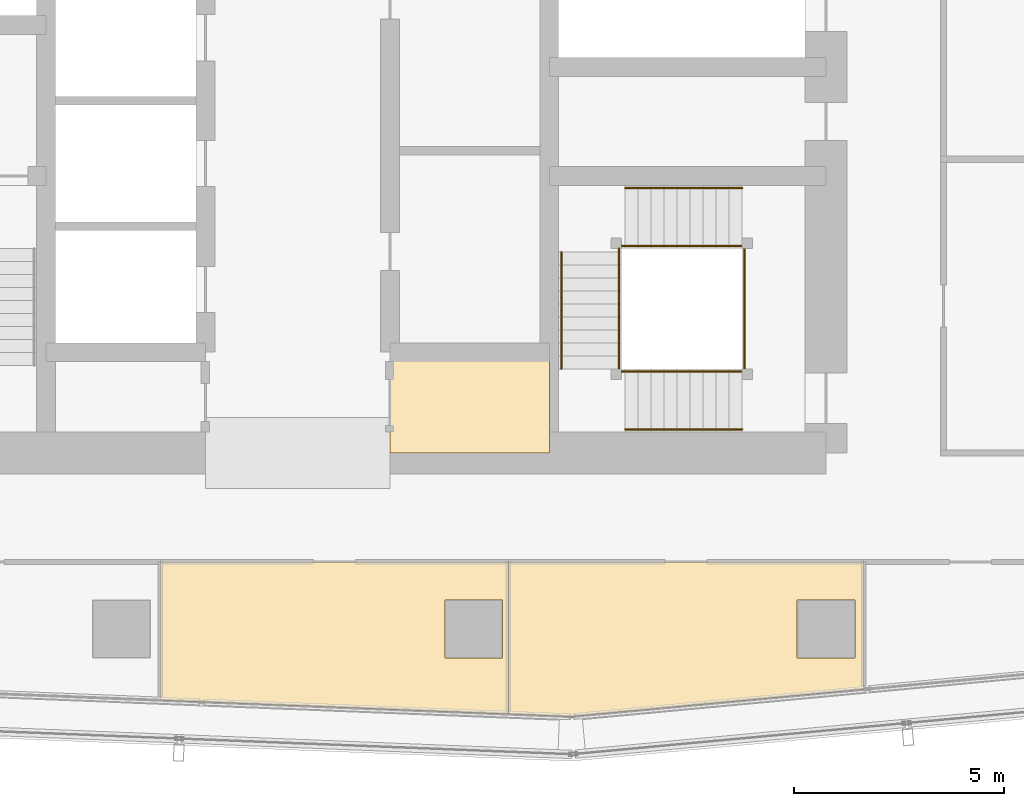
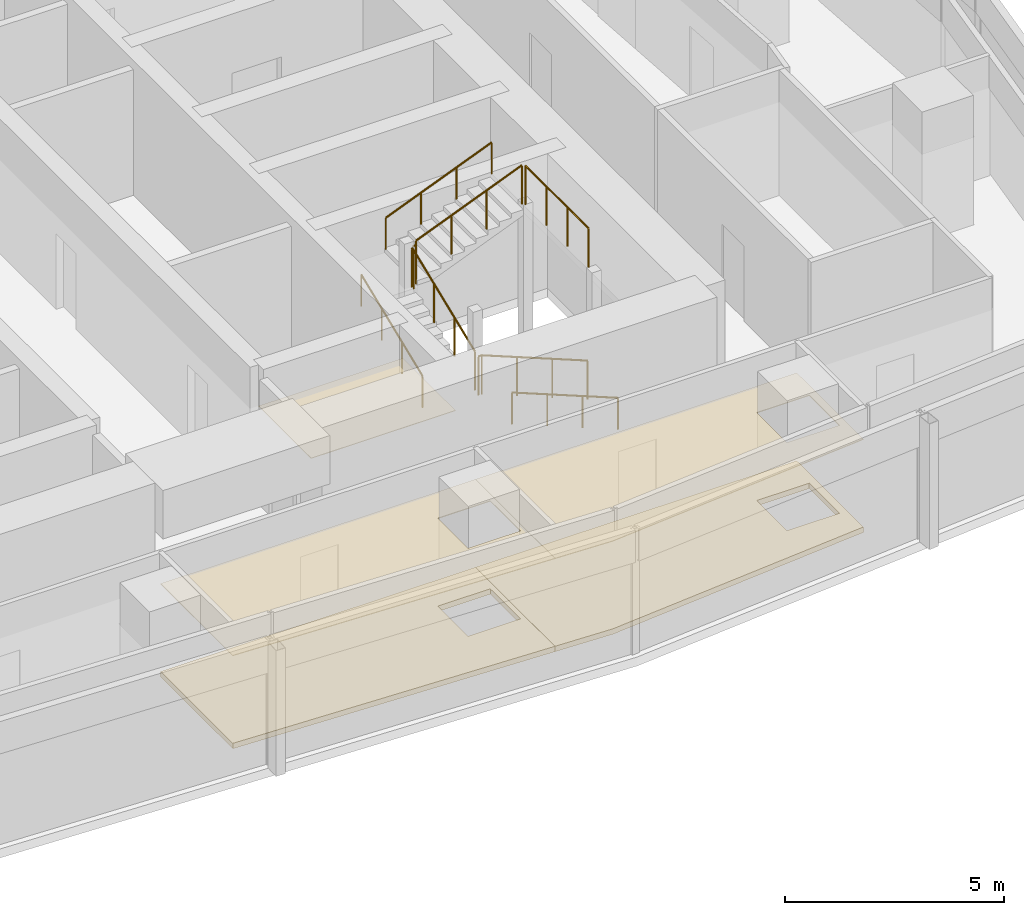
# One storey, part 36 of 39: 10 railings, 5 coverings.
"""IFC4 building model written with IfcOpenShell, lengths in metres."""

from ifc_helpers import new_model, si_unit, direction, frame, origin, origin_2d, place, context, subcontext, project, spatial, polyline, circle, outline, extrude, material, layer, layer_set, type_object, element, save


model = new_model("IFC4")

# Units and contexts
model_context = context("Model", 3, precision=1e-05, world=origin(), true_north=direction((0.0, 1.0)))
body_context = subcontext(model_context, "Body", "Model", "MODEL_VIEW")
ifc_project = project(units=[si_unit("LENGTHUNIT", "METRE"), si_unit("AREAUNIT", "SQUARE_METRE"), si_unit("VOLUMEUNIT", "CUBIC_METRE"), si_unit("PLANEANGLEUNIT", "RADIAN"), si_unit("MASSUNIT", "GRAM", prefix="KILO")], contexts=[model_context])

# Site, building, storey
site_placement = place(None, origin())
site = spatial("IfcSite", under=ifc_project, at=site_placement, CompositionType="ELEMENT")
building_placement = place(site_placement, origin())
building = spatial("IfcBuilding", under=site, at=building_placement, Name="Rekha Terrace Tower", CompositionType="ELEMENT")
storey_placement = place(building_placement, frame((0.0, 0.0, 187.699951171875)))
storey = spatial("IfcBuildingStorey", under=building, at=storey_placement, Name="L47", CompositionType="ELEMENT", Elevation=187.699951171875)

# Coverings
ifc_material_1 = material(Name="Mineral fibre tile in exposed grid", Category="finish")
ifc_layer_1 = layer(ifc_material_1, 0.02001953125)
ifc_layer_set_1 = layer_set([ifc_layer_1], Name="Mineral fibre tile in exposed grid")
covering_type_1 = type_object("IfcCoveringType", Name="CL1 600x1200 office grid ceiling", PredefinedType="CEILING", material=ifc_layer_set_1)
covering_1_placement = place(storey_placement, frame((0.0, 0.0, 2.580078125)))
element("IfcCovering", 1, at=covering_1_placement, inside=storey, type_object=covering_type_1, Name="Ceiling L47-02", PredefinedType="CEILING", context=body_context, shape_type="SweptSolid", body=[
    extrude(outline(polyline([(42.822998046875, 14.77099609375), (42.822998046875, 18.39990234375), (34.531005859375, 18.39990234375), (34.531005859375, 15.10205078125), (42.822998046875, 14.77099609375)]), holes=[polyline([(42.68994140625, 17.489990234375), (42.68994140625, 16.110107421875), (41.31005859375, 16.110107421875), (41.31005859375, 17.489990234375), (42.68994140625, 17.489990234375)])]), origin(), (0.0, 0.0, 1.0), 0.02001953125),
])
covering_2_placement = place(storey_placement, frame((0.0, 0.0, 2.580078125)))
element("IfcCovering", 2, at=covering_2_placement, inside=storey, type_object=covering_type_1, Name="Ceiling L47-03", PredefinedType="CEILING", context=body_context, shape_type="SweptSolid", body=[
    extrude(outline(polyline([(51.2900390625, 18.39990234375), (42.823974609375, 18.39990234375), (42.823974609375, 14.77099609375), (44.31201171875, 14.7119140625), (51.2900390625, 15.362060546875), (51.2900390625, 18.39990234375)]), holes=[polyline([(51.090087890625, 16.110107421875), (49.7099609375, 16.110107421875), (49.7099609375, 17.489990234375), (51.090087890625, 17.489990234375), (51.090087890625, 16.110107421875)])]), origin(), (0.0, 0.0, 1.0), 0.02001953125),
])
ifc_material_2 = material(Name="Fibre cement board", Category="finish")
ifc_layer_2 = layer(ifc_material_2, 0.014892578125)
ifc_layer_set_2 = layer_set([ifc_layer_2], Name="Fibre cement board")
covering_type_2 = type_object("IfcCoveringType", Name="CL2 moisture-resistant board ceiling", PredefinedType="CEILING", material=ifc_layer_set_2)
covering_3_placement = place(storey_placement, frame((0.0, 0.0, 2.5849609375)))
element("IfcCovering", 3, at=covering_3_placement, inside=storey, type_object=covering_type_2, Name="Ceiling L47-WCA", PredefinedType="CEILING", context=body_context, shape_type="SweptSolid", body=[
    extrude(outline(polyline([(43.800048828125, 23.39990234375), (40.0, 23.39990234375), (40.0, 21.0), (43.800048828125, 21.0), (43.800048828125, 23.39990234375)])), origin(), (0.0, 0.0, 1.0), 0.01513671875),
])

# Railings
ifc_material_3 = material(Name="Stainless steel balustrade", Category="steel")
railing_type_1 = type_object("IfcRailingType", Name="GR1 1100 stair guard", PredefinedType="GUARDRAIL", material=ifc_material_3)
railing_1_placement = place(storey_placement, frame((48.39990234375, 22.93994140625, 0.125)))
element("IfcRailing", 4, at=railing_1_placement, inside=storey, type_object=railing_type_1, Name="Guard ST3 L47 flight 1", PredefinedType="GUARDRAIL", context=body_context, shape_type="SweptSolid", body=[
    extrude(circle(Radius=0.02392578125, at=origin_2d()), frame((0.0, 0.0, 1.076171875), z_axis=(-0.927431937212, 0.0, 0.373991980981), x_axis=(0.0, -1.0, 0.0)), (0.0, 0.0, 1.0), 3.008056640625),
    extrude(circle(Radius=0.02099609375, at=origin_2d()), origin(), (0.0, 0.0, 1.0), 1.052001953125),
    extrude(circle(Radius=0.02099609375, at=origin_2d()), frame((-0.929931640625, 0.0, 0.375)), (0.0, 0.0, 1.0), 1.052001953125),
    extrude(circle(Radius=0.02099609375, at=origin_2d()), frame((-1.85986328125, 0.0, 0.75)), (0.0, 0.0, 1.0), 1.052001953125),
    extrude(circle(Radius=0.02099609375, at=origin_2d()), frame((-2.789794921875, 0.0, 1.125)), (0.0, 0.0, 1.0), 1.052001953125),
])
railing_2_placement = place(storey_placement, frame((45.465087890625, 23.0, 1.375)))
element("IfcRailing", 5, at=railing_2_placement, inside=storey, type_object=railing_type_1, Name="Guard ST3 L47 flight 2", PredefinedType="GUARDRAIL", context=body_context, shape_type="SweptSolid", body=[
    extrude(circle(Radius=0.02392578125, at=origin_2d()), frame((0.0, 0.0, 1.076171875), z_axis=(0.0, 0.927443287984, 0.373963831907), x_axis=(-1.0, 0.0, 0.0)), (0.0, 0.0, 1.0), 3.00830078125),
    extrude(circle(Radius=0.02099609375, at=origin_2d()), origin(), (0.0, 0.0, 1.0), 1.052001953125),
    extrude(circle(Radius=0.02099609375, at=origin_2d()), frame((0.0, 0.929931640625, 0.375)), (0.0, 0.0, 1.0), 1.052001953125),
    extrude(circle(Radius=0.02099609375, at=origin_2d()), frame((0.0, 1.860107421875, 0.75)), (0.0, 0.0, 1.0), 1.052001953125),
    extrude(circle(Radius=0.02099609375, at=origin_2d()), frame((0.0, 2.7900390625, 1.125)), (0.0, 0.0, 1.0), 1.052001953125),
])
railing_3_placement = place(storey_placement, frame((45.610107421875, 25.93505859375, 2.625)))
element("IfcRailing", 6, at=railing_3_placement, inside=storey, type_object=railing_type_1, Name="Guard ST3 L47 flight 3", PredefinedType="GUARDRAIL", context=body_context, shape_type="SweptSolid", body=[
    extrude(circle(Radius=0.02392578125, at=origin_2d()), frame((0.0, 0.0, 1.076171875), z_axis=(0.927431937212, 0.0, 0.373991980981), x_axis=(0.0, 1.0, 0.0)), (0.0, 0.0, 1.0), 3.008056640625),
    extrude(circle(Radius=0.02099609375, at=origin_2d()), origin(), (0.0, 0.0, 1.0), 1.052001953125),
    extrude(circle(Radius=0.02099609375, at=origin_2d()), frame((0.929931640625, 0.0, 0.375)), (0.0, 0.0, 1.0), 1.052001953125),
    extrude(circle(Radius=0.02099609375, at=origin_2d()), frame((1.85986328125, 0.0, 0.75)), (0.0, 0.0, 1.0), 1.052001953125),
    extrude(circle(Radius=0.02099609375, at=origin_2d()), frame((2.789794921875, 0.0, 1.125)), (0.0, 0.0, 1.0), 1.052001953125),
])
railing_4_placement = place(storey_placement, frame((45.610107421875, 22.93994140625, 1.25)))
element("IfcRailing", 7, at=railing_4_placement, inside=storey, type_object=railing_type_1, Name="Guard ST3 L47 landing 1", PredefinedType="GUARDRAIL", context=body_context, shape_type="SweptSolid", body=[
    extrude(circle(Radius=0.02392578125, at=origin_2d()), frame((0.0, 0.0, 1.076171875), z_axis=(-1.0, 0.0, 0.0), x_axis=(0.0, -1.0, 0.0)), (0.0, 0.0, 1.0), 0.085205078125),
    extrude(circle(Radius=0.02099609375, at=origin_2d()), origin(), (0.0, 0.0, 1.0), 1.052001953125),
    extrude(circle(Radius=0.02099609375, at=origin_2d()), frame((-0.085205078125, 0.0, 0.0)), (0.0, 0.0, 1.0), 1.052001953125),
])
railing_5_placement = place(storey_placement, frame((45.465087890625, 25.7900390625, 2.5)))
element("IfcRailing", 8, at=railing_5_placement, inside=storey, type_object=railing_type_1, Name="Guard ST3 L47 landing 2", PredefinedType="GUARDRAIL", context=body_context, shape_type="SweptSolid", body=[
    extrude(circle(Radius=0.02392578125, at=origin_2d()), frame((0.0, 0.0, 1.076171875), z_axis=(0.0, 1.0, 0.0), x_axis=(-1.0, 0.0, 0.0)), (0.0, 0.0, 1.0), 0.0849609375),
    extrude(circle(Radius=0.02099609375, at=origin_2d()), origin(), (0.0, 0.0, 1.0), 1.052001953125),
    extrude(circle(Radius=0.02099609375, at=origin_2d()), frame((0.0, 0.0849609375, 0.0)), (0.0, 0.0, 1.0), 1.052001953125),
])
railing_6_placement = place(storey_placement, frame((45.610107421875, 25.93505859375, 2.5)))
element("IfcRailing", 9, at=railing_6_placement, inside=storey, type_object=railing_type_1, Name="Guard ST3 L47 landing 3", PredefinedType="GUARDRAIL", context=body_context, shape_type="SweptSolid", body=[
    extrude(circle(Radius=0.02392578125, at=origin_2d()), frame((0.0, 0.0, 1.076171875), z_axis=(-1.0, 0.0, 0.0), x_axis=(0.0, -1.0, 0.0)), (0.0, 0.0, 1.0), 0.085205078125),
    extrude(circle(Radius=0.02099609375, at=origin_2d()), origin(), (0.0, 0.0, 1.0), 1.052001953125),
    extrude(circle(Radius=0.02099609375, at=origin_2d()), frame((-0.085205078125, 0.0, 0.0)), (0.0, 0.0, 1.0), 1.052001953125),
])
railing_7_placement = place(storey_placement, frame((48.4599609375, 23.0, 3.75)))
element("IfcRailing", 10, at=railing_7_placement, inside=storey, type_object=railing_type_1, Name="Guard ST3 L47 landing 4", PredefinedType="GUARDRAIL", context=body_context, shape_type="SweptSolid", body=[
    extrude(circle(Radius=0.02392578125, at=origin_2d()), frame((0.0, 0.0, 1.076171875), z_axis=(0.0, 1.0, 0.0), x_axis=(-1.0, 0.0, 0.0)), (0.0, 0.0, 1.0), 2.875),
    extrude(circle(Radius=0.02099609375, at=origin_2d()), origin(), (0.0, 0.0, 1.0), 1.052001953125),
    extrude(circle(Radius=0.02099609375, at=origin_2d()), frame((0.0, 0.958251953125, 0.0)), (0.0, 0.0, 1.0), 1.052001953125),
    extrude(circle(Radius=0.02099609375, at=origin_2d()), frame((0.0, 1.916748046875, 0.0)), (0.0, 0.0, 1.0), 1.052001953125),
    extrude(circle(Radius=0.02099609375, at=origin_2d()), frame((0.0, 2.875, 0.0)), (0.0, 0.0, 1.0), 1.052001953125),
])
ifc_material_4 = material(Name="Stainless steel tube", Category="steel")
railing_type_2 = type_object("IfcRailingType", Name="HR1 900 stair handrail", PredefinedType="HANDRAIL", material=ifc_material_4)
railing_8_placement = place(storey_placement, frame((48.39990234375, 21.56005859375, 0.125)))
element("IfcRailing", 11, at=railing_8_placement, inside=storey, type_object=railing_type_2, Name="Handrail ST3 L47 flight 1", PredefinedType="HANDRAIL", context=body_context, shape_type="SweptSolid", body=[
    extrude(circle(Radius=0.02392578125, at=origin_2d()), frame((0.0, 0.0, 0.8759765625), z_axis=(-0.927431937212, 0.0, 0.373991980981), x_axis=(0.0, -1.0, 0.0)), (0.0, 0.0, 1.0), 3.008056640625),
    extrude(circle(Radius=0.02099609375, at=origin_2d()), origin(), (0.0, 0.0, 1.0), 0.851806640625),
    extrude(circle(Radius=0.02099609375, at=origin_2d()), frame((-0.929931640625, 0.0, 0.375)), (0.0, 0.0, 1.0), 0.851806640625),
    extrude(circle(Radius=0.02099609375, at=origin_2d()), frame((-1.85986328125, 0.0, 0.75)), (0.0, 0.0, 1.0), 0.851806640625),
    extrude(circle(Radius=0.02099609375, at=origin_2d()), frame((-2.789794921875, 0.0, 1.125)), (0.0, 0.0, 1.0), 0.851806640625),
])
railing_9_placement = place(storey_placement, frame((44.0849609375, 23.0, 1.375)))
element("IfcRailing", 12, at=railing_9_placement, inside=storey, type_object=railing_type_2, Name="Handrail ST3 L47 flight 2", PredefinedType="HANDRAIL", context=body_context, shape_type="SweptSolid", body=[
    extrude(circle(Radius=0.02392578125, at=origin_2d()), frame((0.0, 0.0, 0.8759765625), z_axis=(0.0, 0.927443287984, 0.373963831907), x_axis=(-1.0, 0.0, 0.0)), (0.0, 0.0, 1.0), 3.00830078125),
    extrude(circle(Radius=0.02099609375, at=origin_2d()), origin(), (0.0, 0.0, 1.0), 0.851806640625),
    extrude(circle(Radius=0.02099609375, at=origin_2d()), frame((0.0, 0.929931640625, 0.375)), (0.0, 0.0, 1.0), 0.851806640625),
    extrude(circle(Radius=0.02099609375, at=origin_2d()), frame((0.0, 1.860107421875, 0.75)), (0.0, 0.0, 1.0), 0.851806640625),
    extrude(circle(Radius=0.02099609375, at=origin_2d()), frame((0.0, 2.7900390625, 1.125)), (0.0, 0.0, 1.0), 0.851806640625),
])
railing_10_placement = place(storey_placement, frame((45.610107421875, 27.31494140625, 2.625)))
element("IfcRailing", 13, at=railing_10_placement, inside=storey, type_object=railing_type_2, Name="Handrail ST3 L47 flight 3", PredefinedType="HANDRAIL", context=body_context, shape_type="SweptSolid", body=[
    extrude(circle(Radius=0.02392578125, at=origin_2d()), frame((0.0, 0.0, 0.8759765625), z_axis=(0.927431937212, 0.0, 0.373991980981), x_axis=(0.0, 1.0, 0.0)), (0.0, 0.0, 1.0), 3.008056640625),
    extrude(circle(Radius=0.02099609375, at=origin_2d()), origin(), (0.0, 0.0, 1.0), 0.851806640625),
    extrude(circle(Radius=0.02099609375, at=origin_2d()), frame((0.929931640625, 0.0, 0.375)), (0.0, 0.0, 1.0), 0.851806640625),
    extrude(circle(Radius=0.02099609375, at=origin_2d()), frame((1.85986328125, 0.0, 0.75)), (0.0, 0.0, 1.0), 0.851806640625),
    extrude(circle(Radius=0.02099609375, at=origin_2d()), frame((2.789794921875, 0.0, 1.125)), (0.0, 0.0, 1.0), 0.851806640625),
])

# Coverings
ifc_material_5 = material(Name="Calcium sulphate panels on steel pedestals", Category="steel")
ifc_layer_3 = layer(ifc_material_5, 0.14990234375)
ifc_layer_set_3 = layer_set([ifc_layer_3], Name="Calcium sulphate panels on steel pedestals")
covering_type_3 = type_object("IfcCoveringType", Name="RF1 150 raised access floor", PredefinedType="FLOORING", material=ifc_layer_set_3)
covering_4_placement = place(storey_placement, origin())
element("IfcCovering", 14, at=covering_4_placement, inside=storey, type_object=covering_type_3, Name="Raised floor L47-02", PredefinedType="FLOORING", context=body_context, shape_type="SweptSolid", body=[
    extrude(outline(polyline([(42.822998046875, 14.77099609375), (42.822998046875, 18.39990234375), (34.531005859375, 18.39990234375), (34.531005859375, 15.10205078125), (42.822998046875, 14.77099609375)]), holes=[polyline([(42.68994140625, 17.489990234375), (42.68994140625, 16.110107421875), (41.31005859375, 16.110107421875), (41.31005859375, 17.489990234375), (42.68994140625, 17.489990234375)])]), origin(), (0.0, 0.0, 1.0), 0.150146484375),
])
covering_5_placement = place(storey_placement, origin())
element("IfcCovering", 15, at=covering_5_placement, inside=storey, type_object=covering_type_3, Name="Raised floor L47-03", PredefinedType="FLOORING", context=body_context, shape_type="SweptSolid", body=[
    extrude(outline(polyline([(51.2900390625, 18.39990234375), (42.823974609375, 18.39990234375), (42.823974609375, 14.77099609375), (44.31201171875, 14.7119140625), (51.2900390625, 15.362060546875), (51.2900390625, 18.39990234375)]), holes=[polyline([(51.090087890625, 16.110107421875), (49.7099609375, 16.110107421875), (49.7099609375, 17.489990234375), (51.090087890625, 17.489990234375), (51.090087890625, 16.110107421875)])]), origin(), (0.0, 0.0, 1.0), 0.150146484375),
])

save(model, "model.ifc")
